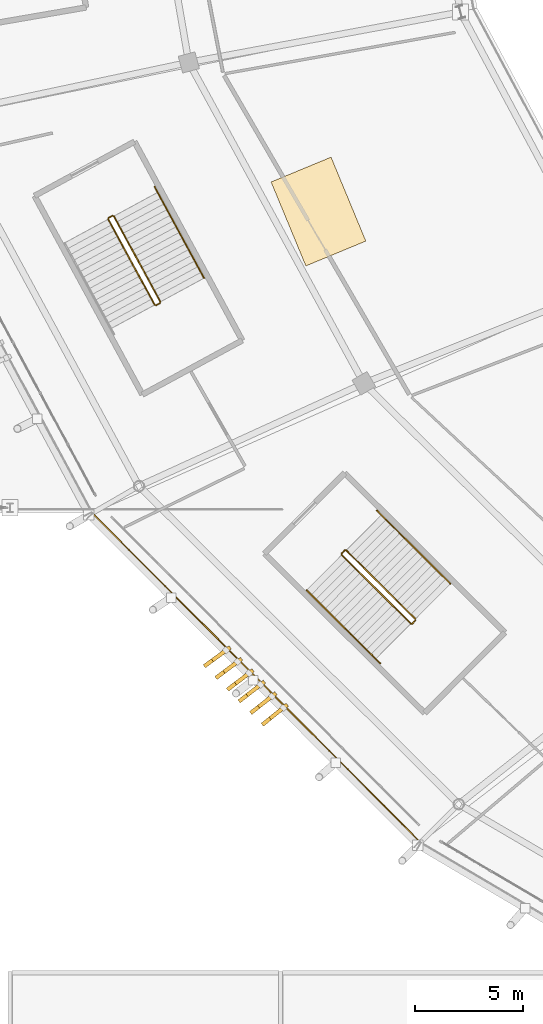
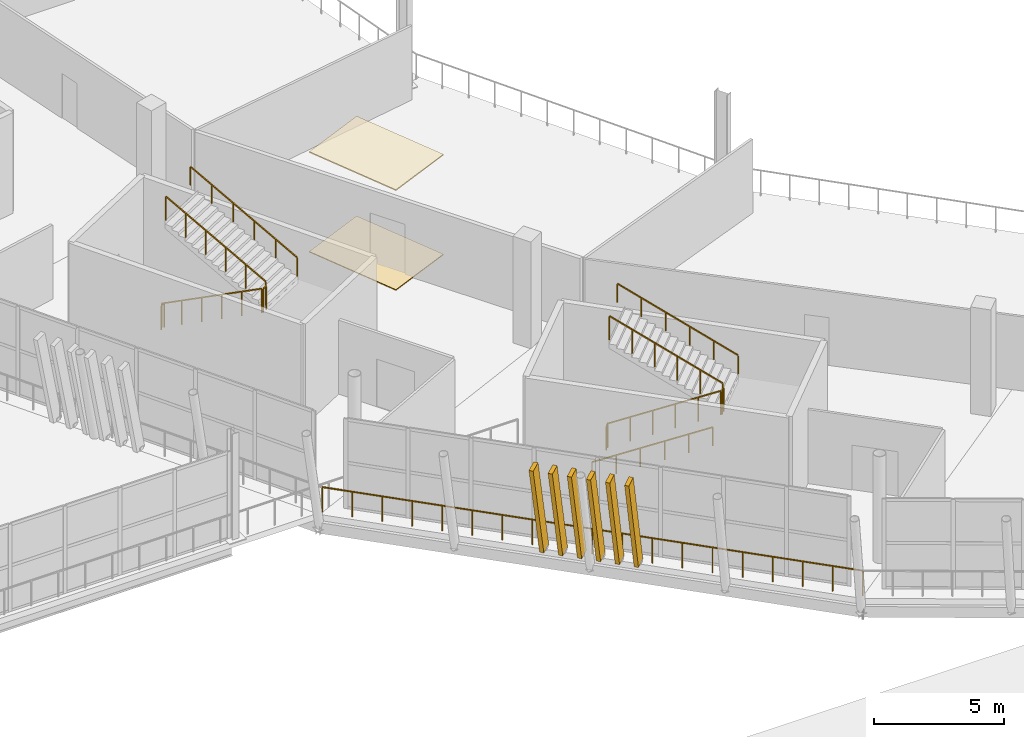
# One storey, part 147 of 179: 12 railings, 6 shading devices, 2 coverings.
"""IFC4 building model written with IfcOpenShell, lengths in metres."""

from ifc_helpers import new_model, si_unit, direction, frame, origin, origin_2d, place, context, subcontext, project, spatial, polyline, rectangle, outline, extrude, material, layer, layer_set, material_profile, profile_set, type_object, element, save


model = new_model("IFC4")

# Units and contexts
model_context = context("Model", 3, precision=1e-05, world=origin(), true_north=direction((0.0, 1.0)))
body_context = subcontext(model_context, "Body", "Model", "MODEL_VIEW")
ifc_project = project(units=[si_unit("LENGTHUNIT", "METRE"), si_unit("AREAUNIT", "SQUARE_METRE"), si_unit("VOLUMEUNIT", "CUBIC_METRE"), si_unit("PLANEANGLEUNIT", "RADIAN"), si_unit("MASSUNIT", "GRAM", prefix="KILO")], contexts=[model_context])

# Site, building, storey
site_placement = place(None, origin())
site = spatial("IfcSite", under=ifc_project, at=site_placement, CompositionType="ELEMENT")
building_placement = place(site_placement, origin())
building = spatial("IfcBuilding", under=site, at=building_placement, Name="Zlatoyarsky Gate Stadium", CompositionType="ELEMENT")
storey_placement = place(building_placement, frame((0.0, 0.0, 10.60009765625)))
storey = spatial("IfcBuildingStorey", under=building, at=storey_placement, Name="L02", CompositionType="ELEMENT", Elevation=10.60009765625)

# Railings
ifc_material_1 = material(Name="Powder-coated steel tubular guardrail", Category="steel")
railing_type_1 = type_object("IfcRailingType", Name="CONCOURSE SLAB EDGE GUARDRAIL 1200", PredefinedType="GUARDRAIL", material=ifc_material_1)
railing_1_placement = place(storey_placement, frame((28.298095703125, 43.252197265625, 0.0)))
element("IfcRailing", 1, at=railing_1_placement, inside=storey, type_object=railing_type_1, Name="L02 outer slab edge guardrail 14", PredefinedType="GUARDRAIL", context=body_context, shape_type="SweptSolid", body=[
    extrude(rectangle(XDim=0.048095703125, YDim=0.048095703125, at=origin_2d()), frame((0.0, 0.0, 1.17578125), z_axis=(0.706043981581, -0.708167985773, 0.0), x_axis=(0.708167985773, 0.706043981581, 0.0)), (0.0, 0.0, 1.0), 21.494384765625),
    extrude(rectangle(XDim=0.0419921875, YDim=0.0419921875, at=origin_2d()), origin(), (0.0, 0.0, 1.0), 1.15185546875),
    extrude(rectangle(XDim=0.0419921875, YDim=0.0419921875, at=origin_2d()), frame((0.843017578125, -0.845703125, 0.0)), (0.0, 0.0, 1.0), 1.15185546875),
    extrude(rectangle(XDim=0.0419921875, YDim=0.0419921875, at=origin_2d()), frame((1.686279296875, -1.69140625, 0.0)), (0.0, 0.0, 1.0), 1.15185546875),
    extrude(rectangle(XDim=0.0419921875, YDim=0.0419921875, at=origin_2d()), frame((2.529296875, -2.536865234375, 0.0)), (0.0, 0.0, 1.0), 1.15185546875),
    extrude(rectangle(XDim=0.0419921875, YDim=0.0419921875, at=origin_2d()), frame((3.37255859375, -3.382568359375, 0.0)), (0.0, 0.0, 1.0), 1.15185546875),
    extrude(rectangle(XDim=0.0419921875, YDim=0.0419921875, at=origin_2d()), frame((4.215576171875, -4.228271484375, 0.0)), (0.0, 0.0, 1.0), 1.15185546875),
    extrude(rectangle(XDim=0.0419921875, YDim=0.0419921875, at=origin_2d()), frame((5.05859375, -5.073974609375, 0.0)), (0.0, 0.0, 1.0), 1.15185546875),
    extrude(rectangle(XDim=0.0419921875, YDim=0.0419921875, at=origin_2d()), frame((5.90185546875, -5.91943359375, 0.0)), (0.0, 0.0, 1.0), 1.15185546875),
    extrude(rectangle(XDim=0.0419921875, YDim=0.0419921875, at=origin_2d()), frame((6.744873046875, -6.76513671875, 0.0)), (0.0, 0.0, 1.0), 1.15185546875),
    extrude(rectangle(XDim=0.0419921875, YDim=0.0419921875, at=origin_2d()), frame((7.587890625, -7.61083984375, 0.0)), (0.0, 0.0, 1.0), 1.15185546875),
    extrude(rectangle(XDim=0.0419921875, YDim=0.0419921875, at=origin_2d()), frame((8.43115234375, -8.45654296875, 0.0)), (0.0, 0.0, 1.0), 1.15185546875),
    extrude(rectangle(XDim=0.0419921875, YDim=0.0419921875, at=origin_2d()), frame((9.274169921875, -9.30224609375, 0.0)), (0.0, 0.0, 1.0), 1.15185546875),
    extrude(rectangle(XDim=0.0419921875, YDim=0.0419921875, at=origin_2d()), frame((10.117431640625, -10.147705078125, 0.0)), (0.0, 0.0, 1.0), 1.15185546875),
    extrude(rectangle(XDim=0.0419921875, YDim=0.0419921875, at=origin_2d()), frame((10.96044921875, -10.993408203125, 0.0)), (0.0, 0.0, 1.0), 1.15185546875),
    extrude(rectangle(XDim=0.0419921875, YDim=0.0419921875, at=origin_2d()), frame((11.803466796875, -11.839111328125, 0.0)), (0.0, 0.0, 1.0), 1.15185546875),
    extrude(rectangle(XDim=0.0419921875, YDim=0.0419921875, at=origin_2d()), frame((12.646728515625, -12.684814453125, 0.0)), (0.0, 0.0, 1.0), 1.15185546875),
    extrude(rectangle(XDim=0.0419921875, YDim=0.0419921875, at=origin_2d()), frame((13.48974609375, -13.5302734375, 0.0)), (0.0, 0.0, 1.0), 1.15185546875),
    extrude(rectangle(XDim=0.0419921875, YDim=0.0419921875, at=origin_2d()), frame((14.3330078125, -14.3759765625, 0.0)), (0.0, 0.0, 1.0), 1.15185546875),
    extrude(rectangle(XDim=0.0419921875, YDim=0.0419921875, at=origin_2d()), frame((15.176025390625, -15.2216796875, 0.0)), (0.0, 0.0, 1.0), 1.15185546875),
])
ifc_material_2 = material(Name="Powder-coated steel stair guardrail", Category="steel")
railing_type_2 = type_object("IfcRailingType", Name="PAINTED STEEL STAIR WELL GUARDRAIL 1150", PredefinedType="GUARDRAIL", material=ifc_material_2)
railing_2_placement = place(storey_placement, frame((39.829345703125, 41.318603515625, 0.15625)))
element("IfcRailing", 2, at=railing_2_placement, inside=storey, type_object=railing_type_2, Name="ST-08 L02 stair guard 1", PredefinedType="GUARDRAIL", context=body_context, shape_type="SweptSolid", body=[
    extrude(rectangle(XDim=0.048095703125, YDim=0.048095703125, at=origin_2d()), frame((0.0, 0.0, 1.1259765625), z_axis=(0.62872528803, -0.625549421735, 0.461944188358), x_axis=(0.705314101777, 0.708894927217, 0.0)), (0.0, 0.0, 1.0), 5.07373046875),
    extrude(rectangle(XDim=0.0419921875, YDim=0.0419921875, at=origin_2d()), origin(), (0.0, 0.0, 1.0), 1.101806640625),
    extrude(rectangle(XDim=0.0419921875, YDim=0.0419921875, at=origin_2d()), frame((0.637939453125, -0.634765625, 0.46875)), (0.0, 0.0, 1.0), 1.101806640625),
    extrude(rectangle(XDim=0.0419921875, YDim=0.0419921875, at=origin_2d()), frame((1.27587890625, -1.26953125, 0.9375)), (0.0, 0.0, 1.0), 1.101806640625),
    extrude(rectangle(XDim=0.0419921875, YDim=0.0419921875, at=origin_2d()), frame((1.9140625, -1.904296875, 1.40625)), (0.0, 0.0, 1.0), 1.101806640625),
    extrude(rectangle(XDim=0.0419921875, YDim=0.0419921875, at=origin_2d()), frame((2.552001953125, -2.5390625, 1.875)), (0.0, 0.0, 1.0), 1.101806640625),
    extrude(rectangle(XDim=0.0419921875, YDim=0.0419921875, at=origin_2d()), frame((3.18994140625, -3.173828125, 2.34375)), (0.0, 0.0, 1.0), 1.101806640625),
])
railing_3_placement = place(storey_placement, frame((43.090087890625, 38.14501953125, 2.5)))
element("IfcRailing", 3, at=railing_3_placement, inside=storey, type_object=railing_type_2, Name="ST-08 L02 stair guard 2", PredefinedType="GUARDRAIL", context=body_context, shape_type="SweptSolid", body=[
    extrude(rectangle(XDim=0.048095703125, YDim=0.048095703125, at=origin_2d()), frame((0.0, 0.0, 1.1259765625), z_axis=(0.705884473151, 0.708326979978, 0.0), x_axis=(-0.708326979978, 0.705884473151, 0.0)), (0.0, 0.0, 1.0), 0.199951171875),
    extrude(rectangle(XDim=0.0419921875, YDim=0.0419921875, at=origin_2d()), origin(), (0.0, 0.0, 1.0), 1.101806640625),
    extrude(rectangle(XDim=0.0419921875, YDim=0.0419921875, at=origin_2d()), frame((0.14111328125, 0.1416015625, 0.0)), (0.0, 0.0, 1.0), 1.101806640625),
])
railing_4_placement = place(storey_placement, frame((43.23095703125, 38.357421875, 2.65625)))
element("IfcRailing", 4, at=railing_4_placement, inside=storey, type_object=railing_type_2, Name="ST-08 L02 stair guard 3", PredefinedType="GUARDRAIL", context=body_context, shape_type="SweptSolid", body=[
    extrude(rectangle(XDim=0.048095703125, YDim=0.048095703125, at=origin_2d()), frame((0.0, 0.0, 1.1259765625), z_axis=(-0.628754384599, 0.625530496655, 0.461930212914), x_axis=(-0.705286975187, -0.708921915751, 0.0)), (0.0, 0.0, 1.0), 5.07373046875),
    extrude(rectangle(XDim=0.0419921875, YDim=0.0419921875, at=origin_2d()), origin(), (0.0, 0.0, 1.0), 1.101806640625),
    extrude(rectangle(XDim=0.0419921875, YDim=0.0419921875, at=origin_2d()), frame((-0.637939453125, 0.634765625, 0.46875)), (0.0, 0.0, 1.0), 1.101806640625),
    extrude(rectangle(XDim=0.0419921875, YDim=0.0419921875, at=origin_2d()), frame((-1.276123046875, 1.26953125, 0.9375)), (0.0, 0.0, 1.0), 1.101806640625),
    extrude(rectangle(XDim=0.0419921875, YDim=0.0419921875, at=origin_2d()), frame((-1.9140625, 1.904296875, 1.40625)), (0.0, 0.0, 1.0), 1.101806640625),
    extrude(rectangle(XDim=0.0419921875, YDim=0.0419921875, at=origin_2d()), frame((-2.55224609375, 2.5390625, 1.875)), (0.0, 0.0, 1.0), 1.101806640625),
    extrude(rectangle(XDim=0.0419921875, YDim=0.0419921875, at=origin_2d()), frame((-3.190185546875, 3.173828125, 2.34375)), (0.0, 0.0, 1.0), 1.101806640625),
])
railing_5_placement = place(storey_placement, frame((39.8291015625, 41.389404296875, 0.0)))
element("IfcRailing", 5, at=railing_5_placement, inside=storey, type_object=railing_type_2, Name="ST-08 L02 stair guard 4", PredefinedType="GUARDRAIL", context=body_context, shape_type="SweptSolid", body=[
    extrude(rectangle(XDim=0.048095703125, YDim=0.048095703125, at=origin_2d()), frame((0.0, 0.0, 1.1259765625), z_axis=(0.705884473151, 0.708326979978, 0.0), x_axis=(-0.708326979978, 0.705884473151, 0.0)), (0.0, 0.0, 1.0), 0.199951171875),
    extrude(rectangle(XDim=0.0419921875, YDim=0.0419921875, at=origin_2d()), origin(), (0.0, 0.0, 1.0), 1.101806640625),
    extrude(rectangle(XDim=0.0419921875, YDim=0.0419921875, at=origin_2d()), frame((0.14111328125, 0.1416015625, 0.0)), (0.0, 0.0, 1.0), 1.101806640625),
])
railing_6_placement = place(storey_placement, frame((29.03515625, 56.83349609375, 0.15625)))
element("IfcRailing", 6, at=railing_6_placement, inside=storey, type_object=railing_type_2, Name="ST-15 L02 stair guard 1", PredefinedType="GUARDRAIL", context=body_context, shape_type="SweptSolid", body=[
    extrude(rectangle(XDim=0.048095703125, YDim=0.048095703125, at=origin_2d()), frame((0.0, 0.0, 1.1259765625), z_axis=(0.422959741779, -0.779564365935, 0.461935554162), x_axis=(0.878963249763, 0.476889510858, 0.0)), (0.0, 0.0, 1.0), 5.07373046875),
    extrude(rectangle(XDim=0.0419921875, YDim=0.0419921875, at=origin_2d()), origin(), (0.0, 0.0, 1.0), 1.101806640625),
    extrude(rectangle(XDim=0.0419921875, YDim=0.0419921875, at=origin_2d()), frame((0.42919921875, -0.791015625, 0.46875)), (0.0, 0.0, 1.0), 1.101806640625),
    extrude(rectangle(XDim=0.0419921875, YDim=0.0419921875, at=origin_2d()), frame((0.8583984375, -1.58203125, 0.9375)), (0.0, 0.0, 1.0), 1.101806640625),
    extrude(rectangle(XDim=0.0419921875, YDim=0.0419921875, at=origin_2d()), frame((1.28759765625, -2.373291015625, 1.40625)), (0.0, 0.0, 1.0), 1.101806640625),
    extrude(rectangle(XDim=0.0419921875, YDim=0.0419921875, at=origin_2d()), frame((1.716796875, -3.164306640625, 1.875)), (0.0, 0.0, 1.0), 1.101806640625),
    extrude(rectangle(XDim=0.0419921875, YDim=0.0419921875, at=origin_2d()), frame((2.14599609375, -3.955322265625, 2.34375)), (0.0, 0.0, 1.0), 1.101806640625),
])
railing_7_placement = place(storey_placement, frame((31.2490234375, 52.85791015625, 2.5)))
element("IfcRailing", 7, at=railing_7_placement, inside=storey, type_object=railing_type_2, Name="ST-15 L02 stair guard 2", PredefinedType="GUARDRAIL", context=body_context, shape_type="SweptSolid", body=[
    extrude(rectangle(XDim=0.048095703125, YDim=0.048095703125, at=origin_2d()), frame((0.0, 0.0, 1.1259765625), z_axis=(0.878780312785, 0.477226530971, 0.0), x_axis=(-0.477226530971, 0.878780312785, 0.0)), (0.0, 0.0, 1.0), 0.199951171875),
    extrude(rectangle(XDim=0.0419921875, YDim=0.0419921875, at=origin_2d()), origin(), (0.0, 0.0, 1.0), 1.101806640625),
    extrude(rectangle(XDim=0.0419921875, YDim=0.0419921875, at=origin_2d()), frame((0.17578125, 0.095458984375, 0.0)), (0.0, 0.0, 1.0), 1.101806640625),
])
railing_8_placement = place(storey_placement, frame((31.44482421875, 53.021240234375, 2.65625)))
element("IfcRailing", 8, at=railing_8_placement, inside=storey, type_object=railing_type_2, Name="ST-15 L02 stair guard 3", PredefinedType="GUARDRAIL", context=body_context, shape_type="SweptSolid", body=[
    extrude(rectangle(XDim=0.048095703125, YDim=0.048095703125, at=origin_2d()), frame((0.0, 0.0, 1.1259765625), z_axis=(-0.422959741779, 0.779564365935, 0.461935554162), x_axis=(-0.878963249763, -0.476889510858, 0.0)), (0.0, 0.0, 1.0), 5.07373046875),
    extrude(rectangle(XDim=0.0419921875, YDim=0.0419921875, at=origin_2d()), origin(), (0.0, 0.0, 1.0), 1.101806640625),
    extrude(rectangle(XDim=0.0419921875, YDim=0.0419921875, at=origin_2d()), frame((-0.42919921875, 0.791015625, 0.46875)), (0.0, 0.0, 1.0), 1.101806640625),
    extrude(rectangle(XDim=0.0419921875, YDim=0.0419921875, at=origin_2d()), frame((-0.8583984375, 1.58203125, 0.9375)), (0.0, 0.0, 1.0), 1.101806640625),
    extrude(rectangle(XDim=0.0419921875, YDim=0.0419921875, at=origin_2d()), frame((-1.28759765625, 2.373291015625, 1.40625)), (0.0, 0.0, 1.0), 1.101806640625),
    extrude(rectangle(XDim=0.0419921875, YDim=0.0419921875, at=origin_2d()), frame((-1.716796875, 3.164306640625, 1.875)), (0.0, 0.0, 1.0), 1.101806640625),
    extrude(rectangle(XDim=0.0419921875, YDim=0.0419921875, at=origin_2d()), frame((-2.14599609375, 3.955322265625, 2.34375)), (0.0, 0.0, 1.0), 1.101806640625),
])
railing_9_placement = place(storey_placement, frame((29.05517578125, 56.901123046875, 0.0)))
element("IfcRailing", 9, at=railing_9_placement, inside=storey, type_object=railing_type_2, Name="ST-15 L02 stair guard 4", PredefinedType="GUARDRAIL", context=body_context, shape_type="SweptSolid", body=[
    extrude(rectangle(XDim=0.048095703125, YDim=0.048095703125, at=origin_2d()), frame((0.0, 0.0, 1.1259765625), z_axis=(0.878780312785, 0.477226530971, 0.0), x_axis=(-0.477226530971, 0.878780312785, 0.0)), (0.0, 0.0, 1.0), 0.199951171875),
    extrude(rectangle(XDim=0.0419921875, YDim=0.0419921875, at=origin_2d()), origin(), (0.0, 0.0, 1.0), 1.101806640625),
    extrude(rectangle(XDim=0.0419921875, YDim=0.0419921875, at=origin_2d()), frame((0.17578125, 0.095458984375, 0.0)), (0.0, 0.0, 1.0), 1.101806640625),
])

# Coverings
ifc_material_3 = material(Name="Perforated anodised aluminium acoustic ceiling", Category="aluminium")
ifc_layer_1 = layer(ifc_material_3, 0.050048828125)
ifc_layer_set_1 = layer_set([ifc_layer_1], Name="Perforated anodised aluminium acoustic ceiling")
covering_type_1 = type_object("IfcCoveringType", Name="PERFORATED ACOUSTIC BAFFLE CEILING 50", PredefinedType="CEILING", material=ifc_layer_set_1)
covering_1_placement = place(storey_placement, frame((0.0, 0.0, 4.669921875)))
element("IfcCovering", 10, at=covering_1_placement, inside=storey, type_object=covering_type_1, Name="L02 hospitality acoustic ceiling 05", PredefinedType="CEILING", context=body_context, shape_type="SweptSolid", body=[
    extrude(outline(polyline([(39.335205078125, 59.706298828125), (40.9423828125, 55.825927734375), (38.1708984375, 54.677734375), (36.5634765625, 58.55810546875), (39.335205078125, 59.706298828125)])), origin(), (0.0, 0.0, 1.0), 0.050048828125),
])
ifc_material_4 = material(Name="Polished granite stone flooring", Category="masonry")
ifc_layer_2 = layer(ifc_material_4, 0.0400390625)
ifc_layer_set_2 = layer_set([ifc_layer_2], Name="Polished granite stone flooring")
covering_type_2 = type_object("IfcCoveringType", Name="POLISHED GRANITE CONCOURSE FLOORING 40", PredefinedType="FLOORING", material=ifc_layer_set_2)
covering_2_placement = place(storey_placement, origin())
element("IfcCovering", 11, at=covering_2_placement, inside=storey, type_object=covering_type_2, Name="L02 hospitality concourse granite flooring 05", PredefinedType="FLOORING", context=body_context, shape_type="SweptSolid", body=[
    extrude(outline(polyline([(39.335205078125, 59.706298828125), (40.9423828125, 55.825927734375), (38.1708984375, 54.677734375), (36.5634765625, 58.55810546875), (39.335205078125, 59.706298828125)])), origin(), (0.0, 0.0, 1.0), 0.039794921875),
])

# Shading devices
ifc_material_5 = material(Name="Precast concrete C40/50 stone-toned architectural rib", Category="masonry")
ifc_material_profile = material_profile(ifc_material_5, rectangle(XDim=0.179931640625, YDim=0.47998046875, at=origin_2d()), Name="RIB 180X480")
ifc_profile_set = profile_set([ifc_material_profile], Name="Precast concrete C40/50 stone-toned architectural rib")
shading_device_type = type_object("IfcShadingDeviceType", Name="PRECAST RIBBED BOWL LOUVRE FIN 180X480", PredefinedType="JALOUSIE", material=ifc_profile_set)
shading_device_placement = place(storey_placement, frame((34.48388671875, 36.908935546875, -0.010009765625), z_axis=(-0.178821909415, -0.130781788728, 0.97515067987), x_axis=(0.590323267445, -0.807166921964, 0.0)))
element("IfcShadingDevice", 12, at=shading_device_placement, inside=storey, type_object=shading_device_type, Name="Leaning bowl louvre fin L02-14-1", PredefinedType="JALOUSIE", context=body_context, shape_type="SweptSolid", body=[
    extrude(rectangle(XDim=0.179931640625, YDim=0.47998046875, at=origin_2d()), origin(), (0.0, 0.0, 1.0), 4.59423828125),
])
for number, where, z_axis, x_axis, name in (
    (13, (35.01318359375, 36.377685546875, -0.010009765625), (-0.177548363437, -0.132430566203, 0.975160870716), (0.597886593445, -0.801580701725, 0.0), "Leaning bowl louvre fin L02-14-2"),
    (14, (35.542724609375, 35.8466796875, -0.010009765625), (-0.176325516309, -0.134077539978, 0.975157692669), (0.605283981389, -0.796009611672, 0.0), "Leaning bowl louvre fin L02-14-3"),
    (15, (36.072265625, 35.315185546875, -0.010009765625), (-0.175104465299, -0.13561960408, 0.975164472908), (0.612328041974, -0.790603800277, 0.0), "Leaning bowl louvre fin L02-14-4"),
):
    element("IfcShadingDevice", number, at=place(storey_placement, frame(where, z_axis=z_axis, x_axis=x_axis)), inside=storey, type_object=shading_device_type, Name=name, PredefinedType="JALOUSIE", context=body_context, shape_type="SweptSolid", body=[
        extrude(rectangle(XDim=0.179931640625, YDim=0.47998046875, at=origin_2d()), origin(), (0.0, 0.0, 1.0), 4.593994140625),
    ])
for number, where, z_axis, x_axis, name in (
    (16, (36.601806640625, 34.7841796875, -0.010009765625), (-0.173880188722, -0.13726544238, 0.975153258877), (0.619620954857, -0.78490118633, 0.0), "Leaning bowl louvre fin L02-14-5"),
    (17, (37.131103515625, 34.2529296875, -0.010009765625), (-0.172604930149, -0.138859816034, 0.975154085045), (0.626828302865, -0.779157415884, 0.0), "Leaning bowl louvre fin L02-14-6"),
):
    element("IfcShadingDevice", number, at=place(storey_placement, frame(where, z_axis=z_axis, x_axis=x_axis)), inside=storey, type_object=shading_device_type, Name=name, PredefinedType="JALOUSIE", context=body_context, shape_type="SweptSolid", body=[
        extrude(rectangle(XDim=0.179931640625, YDim=0.47998046875, at=origin_2d()), origin(), (0.0, 0.0, 1.0), 4.59423828125),
    ])

# Railings
ifc_material_6 = material(Name="Brushed stainless steel 316 handrail", Category="steel")
railing_type_3 = type_object("IfcRailingType", Name="STAINLESS STEEL TUBULAR HANDRAIL 900", PredefinedType="HANDRAIL", material=ifc_material_6)
railing_10_placement = place(storey_placement, frame((38.20703125, 39.688232421875, 0.16015625)))
element("IfcRailing", 18, at=railing_10_placement, inside=storey, type_object=railing_type_3, Name="ST-08 L02 stair handrail 1", PredefinedType="HANDRAIL", context=body_context, shape_type="SweptSolid", body=[
    extrude(rectangle(XDim=0.048095703125, YDim=0.048095703125, at=origin_2d()), frame((0.0, 0.0, 0.8759765625), z_axis=(0.628744833628, -0.625542015205, 0.461927614891), x_axis=(0.705298886343, 0.708910065469, 0.0)), (0.0, 0.0, 1.0), 5.412109375),
    extrude(rectangle(XDim=0.0419921875, YDim=0.0419921875, at=origin_2d()), origin(), (0.0, 0.0, 1.0), 0.851806640625),
    extrude(rectangle(XDim=0.0419921875, YDim=0.0419921875, at=origin_2d()), frame((0.6806640625, -0.677001953125, 0.5)), (0.0, 0.0, 1.0), 0.851806640625),
    extrude(rectangle(XDim=0.0419921875, YDim=0.0419921875, at=origin_2d()), frame((1.361083984375, -1.354248046875, 1.0)), (0.0, 0.0, 1.0), 0.851806640625),
    extrude(rectangle(XDim=0.0419921875, YDim=0.0419921875, at=origin_2d()), frame((2.041748046875, -2.03125, 1.5)), (0.0, 0.0, 1.0), 0.851806640625),
    extrude(rectangle(XDim=0.0419921875, YDim=0.0419921875, at=origin_2d()), frame((2.72216796875, -2.70849609375, 2.0)), (0.0, 0.0, 1.0), 0.851806640625),
    extrude(rectangle(XDim=0.0419921875, YDim=0.0419921875, at=origin_2d()), frame((3.40283203125, -3.385498046875, 2.5)), (0.0, 0.0, 1.0), 0.851806640625),
])
railing_11_placement = place(storey_placement, frame((44.85302734375, 39.98779296875, 2.66015625)))
element("IfcRailing", 19, at=railing_11_placement, inside=storey, type_object=railing_type_3, Name="ST-08 L02 stair handrail 2", PredefinedType="HANDRAIL", context=body_context, shape_type="SweptSolid", body=[
    extrude(rectangle(XDim=0.048095703125, YDim=0.048095703125, at=origin_2d()), frame((0.0, 0.0, 0.8759765625), z_axis=(-0.628717555284, 0.625559757417, 0.461940716518), x_axis=(-0.705324317314, -0.708884763136, 0.0)), (0.0, 0.0, 1.0), 5.411865234375),
    extrude(rectangle(XDim=0.0419921875, YDim=0.0419921875, at=origin_2d()), origin(), (0.0, 0.0, 1.0), 0.851806640625),
    extrude(rectangle(XDim=0.0419921875, YDim=0.0419921875, at=origin_2d()), frame((-0.680419921875, 0.677001953125, 0.5)), (0.0, 0.0, 1.0), 0.851806640625),
    extrude(rectangle(XDim=0.0419921875, YDim=0.0419921875, at=origin_2d()), frame((-1.361083984375, 1.354248046875, 1.0)), (0.0, 0.0, 1.0), 0.851806640625),
    extrude(rectangle(XDim=0.0419921875, YDim=0.0419921875, at=origin_2d()), frame((-2.04150390625, 2.03125, 1.5)), (0.0, 0.0, 1.0), 0.851806640625),
    extrude(rectangle(XDim=0.0419921875, YDim=0.0419921875, at=origin_2d()), frame((-2.72216796875, 2.70849609375, 2.0)), (0.0, 0.0, 1.0), 0.851806640625),
    extrude(rectangle(XDim=0.0419921875, YDim=0.0419921875, at=origin_2d()), frame((-3.402587890625, 3.385498046875, 2.5)), (0.0, 0.0, 1.0), 0.851806640625),
])
railing_12_placement = place(storey_placement, frame((33.466552734375, 54.117919921875, 2.66015625)))
element("IfcRailing", 20, at=railing_12_placement, inside=storey, type_object=railing_type_3, Name="ST-15 L02 stair handrail 2", PredefinedType="HANDRAIL", context=body_context, shape_type="SweptSolid", body=[
    extrude(rectangle(XDim=0.048095703125, YDim=0.048095703125, at=origin_2d()), frame((0.0, 0.0, 0.8759765625), z_axis=(-0.422945859539, 0.779580881458, 0.46192039267), x_axis=(-0.878974045326, -0.476869612833, 0.0)), (0.0, 0.0, 1.0), 5.412109375),
    extrude(rectangle(XDim=0.0419921875, YDim=0.0419921875, at=origin_2d()), origin(), (0.0, 0.0, 1.0), 0.851806640625),
    extrude(rectangle(XDim=0.0419921875, YDim=0.0419921875, at=origin_2d()), frame((-0.457763671875, 0.84375, 0.5)), (0.0, 0.0, 1.0), 0.851806640625),
    extrude(rectangle(XDim=0.0419921875, YDim=0.0419921875, at=origin_2d()), frame((-0.91552734375, 1.687744140625, 1.0)), (0.0, 0.0, 1.0), 0.851806640625),
    extrude(rectangle(XDim=0.0419921875, YDim=0.0419921875, at=origin_2d()), frame((-1.37353515625, 2.531494140625, 1.5)), (0.0, 0.0, 1.0), 0.851806640625),
    extrude(rectangle(XDim=0.0419921875, YDim=0.0419921875, at=origin_2d()), frame((-1.831298828125, 3.37548828125, 2.0)), (0.0, 0.0, 1.0), 0.851806640625),
    extrude(rectangle(XDim=0.0419921875, YDim=0.0419921875, at=origin_2d()), frame((-2.2890625, 4.21923828125, 2.5)), (0.0, 0.0, 1.0), 0.851806640625),
])

save(model, "model.ifc")
